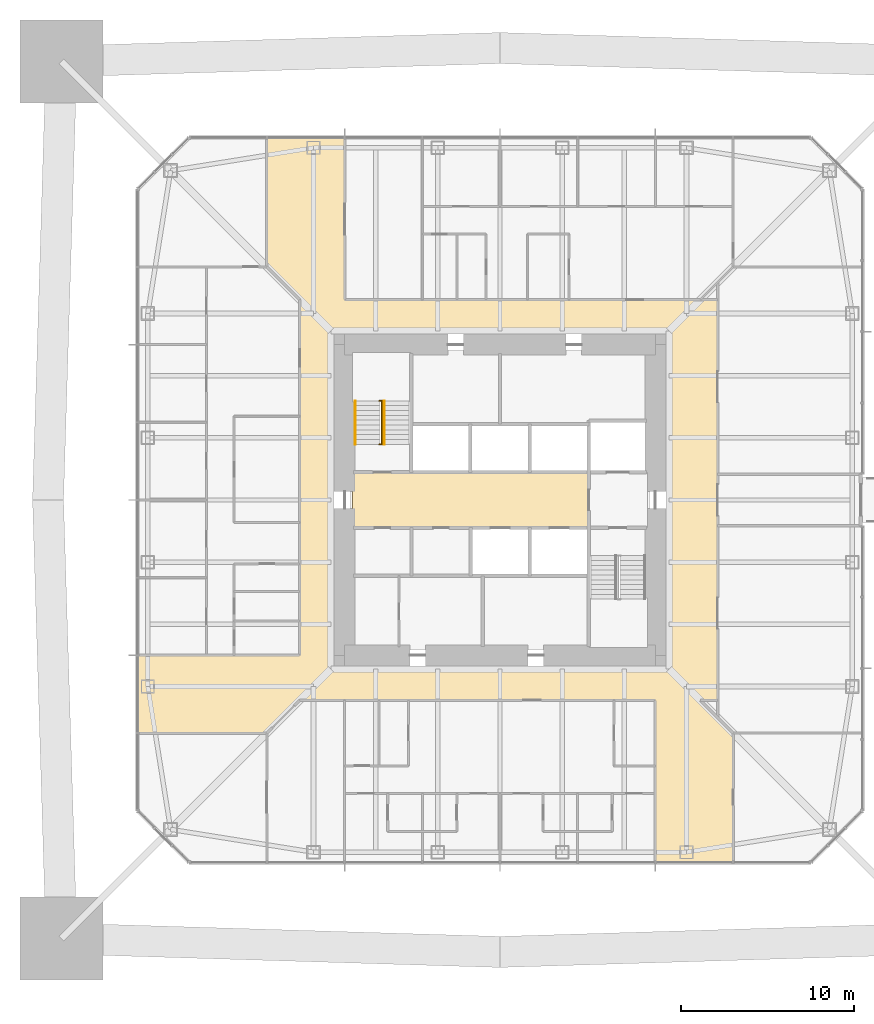
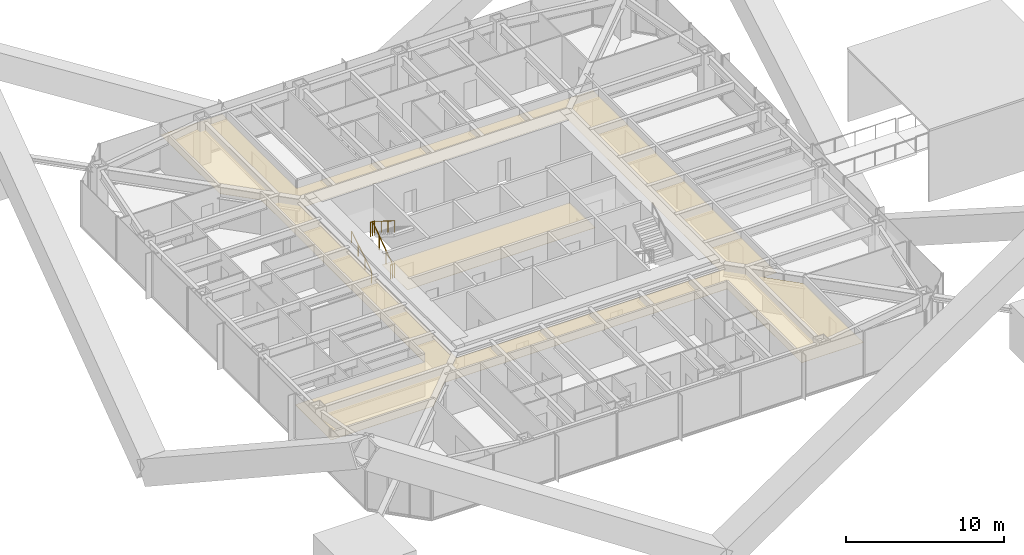
# One storey, part 25 of 28: 3 railings, 2 coverings.
"""IFC4 building model written with IfcOpenShell, lengths in metres."""

from ifc_helpers import new_model, si_unit, direction, frame, origin, origin_2d, place, context, subcontext, project, spatial, polyline, circle, outline, extrude, material, layer, layer_set, constituent, constituent_set, type_object, element, save


model = new_model("IFC4")

# Units and contexts
model_context = context("Model", 3, precision=1e-05, world=origin(), true_north=direction((0.0, 1.0)))
body_context = subcontext(model_context, "Body", "Model", "MODEL_VIEW")
ifc_project = project(units=[si_unit("LENGTHUNIT", "METRE"), si_unit("AREAUNIT", "SQUARE_METRE"), si_unit("VOLUMEUNIT", "CUBIC_METRE"), si_unit("PLANEANGLEUNIT", "RADIAN"), si_unit("MASSUNIT", "GRAM", prefix="KILO")], contexts=[model_context])

# Site, building, storey
site_placement = place(None, origin())
site = spatial("IfcSite", under=ifc_project, at=site_placement, CompositionType="ELEMENT")
building_placement = place(site_placement, origin())
building = spatial("IfcBuilding", under=site, at=building_placement, Name="Iwan Alto Co-Living Towers", CompositionType="ELEMENT")
storey_placement = place(building_placement, frame((0.0, 0.0, 98.0)))
storey = spatial("IfcBuildingStorey", under=building, at=storey_placement, Name="L26", CompositionType="ELEMENT", Elevation=98.0)

# Covering
ifc_material_1 = material(Name="Mineral fibre acoustic tiles on steel grid", Category="steel")
ifc_layer_1 = layer(ifc_material_1, 0.02001953125)
ifc_layer_set_1 = layer_set([ifc_layer_1], Name="ACOUSTIC TILE CEILING 20")
covering_type_1 = type_object("IfcCoveringType", Name="ACOUSTIC TILE CEILING 20", PredefinedType="CEILING", material=ifc_layer_set_1)
covering_1_placement = place(storey_placement, frame((0.0, 0.0, 2.60009765625)))
element("IfcCovering", 1, at=covering_1_placement, inside=storey, type_object=covering_type_1, Name="Ceiling Lift lobby L26", PredefinedType="CEILING", context=body_context, shape_type="SweptSolid", body=[
    extrude(outline(polyline([(-8.550048828125, -1.60009765625), (-8.550048828125, 1.60009765625), (5.14990234375, 1.60009765625), (5.14990234375, -1.60009765625), (-8.550048828125, -1.60009765625)])), origin(), (0.0, 0.0, 1.0), 0.02001953125),
])

# Railings
ifc_material_2 = material(Name="Steel ASTM A500 Gr C", Category="steel")
ifc_constituent_1 = constituent(ifc_material_2, Name="Rails and posts", Category="Framing")
ifc_material_3 = material(Name="Steel ASTM A36", Category="steel")
ifc_constituent_2 = constituent(ifc_material_3, Name="Bar infill", Category="Infill")
ifc_constituent_set = constituent_set(constituents=[ifc_constituent_1, ifc_constituent_2], Name="STAIR GUARD 1100")
railing_type_1 = type_object("IfcRailingType", Name="STAIR GUARD 1100", PredefinedType="GUARDRAIL", material=ifc_constituent_set)
railing_1_placement = place(storey_placement, frame((-6.85009765625, 3.219970703125, 0.0)))
element("IfcRailing", 2, at=railing_1_placement, inside=storey, type_object=railing_type_1, Name="Stair T1-S1 well guard L26", PredefinedType="GUARDRAIL", context=body_context, shape_type="SweptSolid", body=[
    extrude(circle(Radius=0.02392578125, at=origin_2d()), frame((0.0, 0.0, 1.076171875), z_axis=(0.0, 0.821372036852, 0.570392826987), x_axis=(-1.0, 0.0, 0.0)), (0.0, 0.0, 1.0), 3.068115234375),
    extrude(circle(Radius=0.02392578125, at=origin_2d()), frame((-0.14990234375, 0.0, 1.076171875), z_axis=(1.0, 0.0, 0.0), x_axis=(0.0, 1.0, 0.0)), (0.0, 0.0, 1.0), 0.300048828125),
    extrude(circle(Radius=0.02392578125, at=origin_2d()), frame((-0.14990234375, 2.52001953125, 2.826171875), z_axis=(1.0, 0.0, 0.0), x_axis=(0.0, 1.0, 0.0)), (0.0, 0.0, 1.0), 0.300048828125),
    extrude(circle(Radius=0.02099609375, at=origin_2d()), origin(), (0.0, 0.0, 1.0), 1.052001953125),
    extrude(circle(Radius=0.02099609375, at=origin_2d()), frame((0.0, 0.840087890625, 0.583251953125)), (0.0, 0.0, 1.0), 1.052001953125),
    extrude(circle(Radius=0.02099609375, at=origin_2d()), frame((0.0, 1.679931640625, 1.166748046875)), (0.0, 0.0, 1.0), 1.052001953125),
    extrude(circle(Radius=0.02099609375, at=origin_2d()), frame((0.0, 2.52001953125, 1.75)), (0.0, 0.0, 1.0), 1.052001953125),
    extrude(circle(Radius=0.02099609375, at=origin_2d()), frame((-0.14990234375, 0.0, 0.0)), (0.0, 0.0, 1.0), 1.052001953125),
    extrude(circle(Radius=0.02099609375, at=origin_2d()), frame((0.150146484375, 0.0, 0.0)), (0.0, 0.0, 1.0), 1.052001953125),
    extrude(circle(Radius=0.02099609375, at=origin_2d()), frame((-0.14990234375, 2.52001953125, 1.75)), (0.0, 0.0, 1.0), 1.052001953125),
    extrude(circle(Radius=0.02099609375, at=origin_2d()), frame((0.150146484375, 2.52001953125, 1.75)), (0.0, 0.0, 1.0), 1.052001953125),
])
ifc_material_4 = material(Name="Steel ASTM A500 Gr C", Category="steel")
railing_type_2 = type_object("IfcRailingType", Name="STAIR HANDRAIL 900", PredefinedType="HANDRAIL", material=ifc_material_4)
railing_2_placement = place(storey_placement, frame((-8.3798828125, 3.219970703125, 0.175048828125)))
element("IfcRailing", 3, at=railing_2_placement, inside=storey, type_object=railing_type_2, Name="Stair T1-S1 handrail 1 L26", PredefinedType="HANDRAIL", context=body_context, shape_type="SweptSolid", body=[
    extrude(circle(Radius=0.02392578125, at=origin_2d()), frame((0.0, 0.0, 0.8759765625), z_axis=(0.0, 0.848007534815, 0.529984170421), x_axis=(-1.0, 0.0, 0.0)), (0.0, 0.0, 1.0), 2.9716796875),
    extrude(circle(Radius=0.02099609375, at=origin_2d()), origin(), (0.0, 0.0, 1.0), 0.851806640625),
    extrude(circle(Radius=0.02099609375, at=origin_2d()), frame((0.0, 0.840087890625, 0.52490234375)), (0.0, 0.0, 1.0), 0.851806640625),
    extrude(circle(Radius=0.02099609375, at=origin_2d()), frame((0.0, 1.679931640625, 1.050048828125)), (0.0, 0.0, 1.0), 0.851806640625),
    extrude(circle(Radius=0.02099609375, at=origin_2d()), frame((0.0, 2.52001953125, 1.574951171875)), (0.0, 0.0, 1.0), 0.851806640625),
])
railing_3_placement = place(storey_placement, frame((-6.699951171875, 5.739990234375, 1.925048828125)))
element("IfcRailing", 4, at=railing_3_placement, inside=storey, type_object=railing_type_2, Name="Stair T1-S1 handrail 2 L26", PredefinedType="HANDRAIL", context=body_context, shape_type="SweptSolid", body=[
    extrude(circle(Radius=0.02392578125, at=origin_2d()), frame((0.0, 0.0, 0.8759765625), z_axis=(0.0, -0.848007534815, 0.529984170421), x_axis=(1.0, 0.0, 0.0)), (0.0, 0.0, 1.0), 2.9716796875),
    extrude(circle(Radius=0.02099609375, at=origin_2d()), origin(), (0.0, 0.0, 1.0), 0.851806640625),
    extrude(circle(Radius=0.02099609375, at=origin_2d()), frame((0.0, -0.840087890625, 0.52490234375)), (0.0, 0.0, 1.0), 0.851806640625),
    extrude(circle(Radius=0.02099609375, at=origin_2d()), frame((0.0, -1.679931640625, 1.050048828125)), (0.0, 0.0, 1.0), 0.851806640625),
    extrude(circle(Radius=0.02099609375, at=origin_2d()), frame((0.0, -2.52001953125, 1.574951171875)), (0.0, 0.0, 1.0), 0.851806640625),
])

# Covering
ifc_material_5 = material(Name="Gypsum plasterboard on steel grid", Category="steel")
ifc_layer_2 = layer(ifc_material_5, 0.014892578125)
ifc_layer_set_2 = layer_set([ifc_layer_2], Name="SUSPENDED PLASTERBOARD CEILING 15")
covering_type_2 = type_object("IfcCoveringType", Name="SUSPENDED PLASTERBOARD CEILING 15", PredefinedType="CEILING", material=ifc_layer_set_2)
covering_2_placement = place(storey_placement, frame((0.0, 0.0, 2.60009765625)))
element("IfcCovering", 5, at=covering_2_placement, inside=storey, type_object=covering_type_2, Name="Ceiling Corridor L26", PredefinedType="CEILING", context=body_context, shape_type="SweptSolid", body=[
    extrude(outline(polyline([(13.5, -21.0), (9.0, -21.0), (9.0, -11.60009765625), (-11.60009765625, -11.60009765625), (-13.5, -13.5), (-21.0, -13.5), (-21.0, -9.0), (-11.60009765625, -9.0), (-11.60009765625, 11.60009765625), (-13.5, 13.5), (-13.5, 21.0), (-9.0, 21.0), (-9.0, 11.60009765625), (12.60009765625, 11.60009765625), (12.60009765625, -11.60009765625), (11.60009765625, -11.60009765625), (13.5, -13.5), (13.5, -21.0)]), holes=[polyline([(9.60009765625, -9.60009765625), (9.60009765625, 9.60009765625), (-9.60009765625, 9.60009765625), (-9.60009765625, -9.60009765625), (9.60009765625, -9.60009765625)])]), origin(), (0.0, 0.0, 1.0), 0.014892578125),
])

save(model, "model.ifc")
